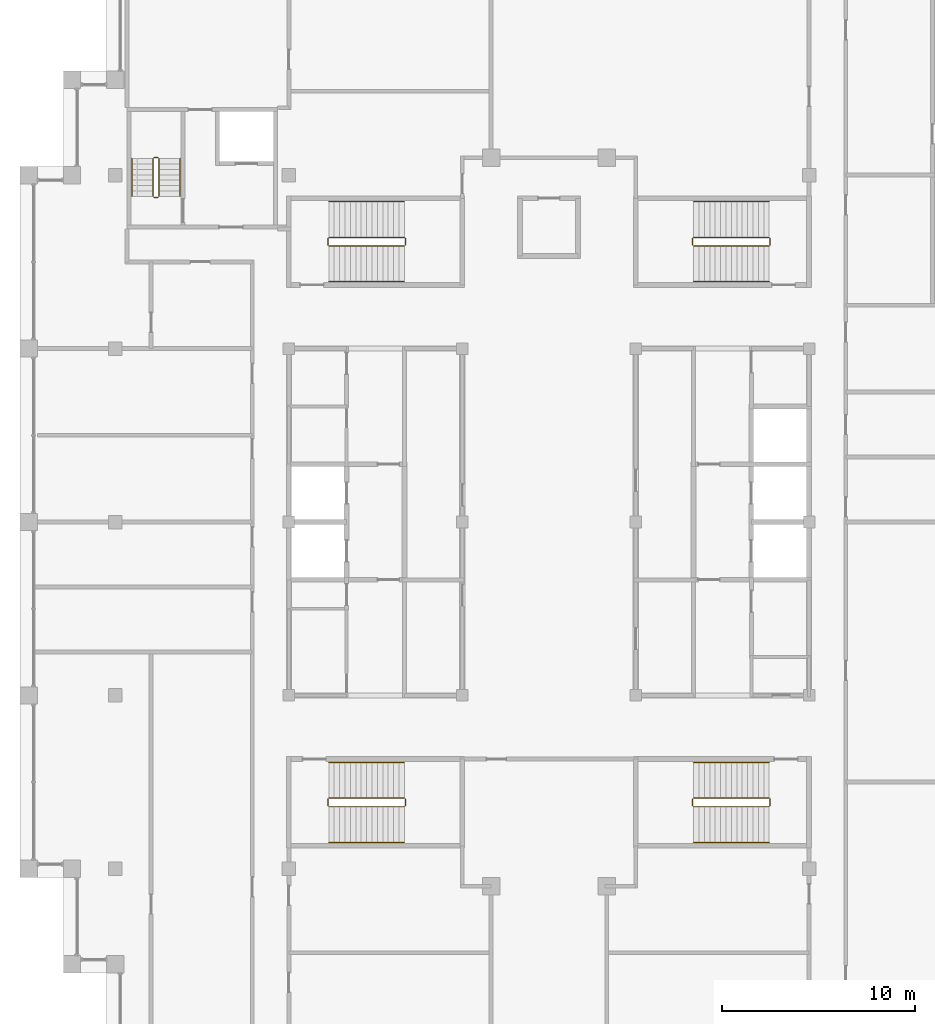
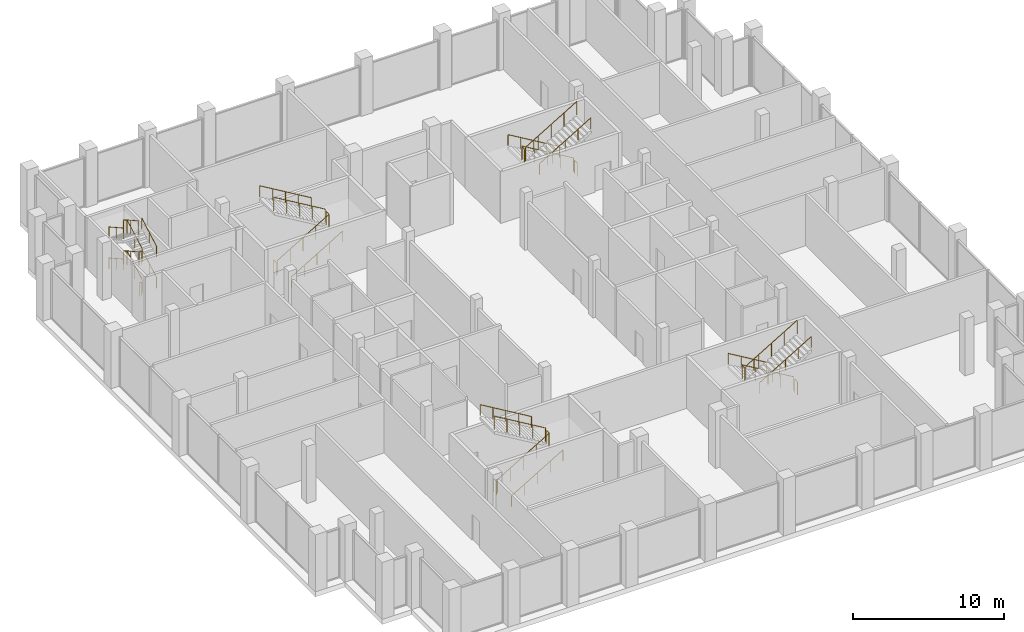
# One storey, part 12 of 12: 5 railings.
"""IFC4 building model written with IfcOpenShell, lengths in metres."""

from ifc_helpers import new_model, si_unit, direction, frame, origin, origin_2d, place, context, subcontext, project, spatial, circle, extrude, material, type_object, element, save


model = new_model("IFC4")

# Units and contexts
model_context = context("Model", 3, precision=1e-05, world=origin(), true_north=direction((0.0, 1.0)))
body_context = subcontext(model_context, "Body", "Model", "MODEL_VIEW")
ifc_project = project(units=[si_unit("LENGTHUNIT", "METRE"), si_unit("AREAUNIT", "SQUARE_METRE"), si_unit("VOLUMEUNIT", "CUBIC_METRE"), si_unit("PLANEANGLEUNIT", "RADIAN"), si_unit("MASSUNIT", "GRAM", prefix="KILO")], contexts=[model_context])

# Site, building, storey
site_placement = place(None, origin())
site = spatial("IfcSite", under=ifc_project, at=site_placement, CompositionType="ELEMENT")
building_placement = place(site_placement, origin())
building = spatial("IfcBuilding", under=site, at=building_placement, Name="Corbelhall Arena Tower", CompositionType="ELEMENT")
storey_placement = place(building_placement, frame((0.0, 0.0, 356.0)))
storey = spatial("IfcBuildingStorey", under=building, at=storey_placement, Name="L78", CompositionType="ELEMENT", Elevation=356.0)

# Railings
ifc_material = material(Name="Steel ASTM A500 Gr C", Category="steel")
railing_type = type_object("IfcRailingType", Name="IN-GD-1100", PredefinedType="GUARDRAIL", material=ifc_material)
railing_1_placement = place(storey_placement, frame((-11.425048828125, 14.324951171875, 0.166748046875)))
element("IfcRailing", 1, at=railing_1_placement, inside=storey, type_object=railing_type, Name="L78 ST1 stair guards and handrails", PredefinedType="GUARDRAIL", context=body_context, shape_type="SweptSolid", body=[
    extrude(circle(Radius=0.02392578125, at=origin_2d()), frame((0.0, 0.0, 1.076171875), z_axis=(0.859310244771, 0.0, 0.511454693235), x_axis=(0.0, 1.0, 0.0)), (0.0, 0.0, 1.0), 4.56201171875),
    extrude(circle(Radius=0.02392578125, at=origin_2d()), frame((3.969970703125, 0.050048828125, 3.4091796875), z_axis=(0.0, 1.0, 0.0), x_axis=(-1.0, 0.0, 0.0)), (0.0, 0.0, 1.0), 0.35009765625),
    extrude(circle(Radius=0.02392578125, at=origin_2d()), frame((3.920166015625, 0.449951171875, 3.576171875), z_axis=(-0.859310244771, 0.0, 0.511454693235), x_axis=(0.0, -1.0, 0.0)), (0.0, 0.0, 1.0), 4.56201171875),
    extrude(circle(Radius=0.02392578125, at=origin_2d()), frame((-0.050048828125, 0.050048828125, 0.9091796875), z_axis=(0.0, 1.0, 0.0), x_axis=(-1.0, 0.0, 0.0)), (0.0, 0.0, 1.0), 0.35009765625),
    extrude(circle(Radius=0.02392578125, at=origin_2d()), frame((0.0, -1.849853515625, 0.8759765625), z_axis=(0.859310244771, 0.0, 0.511454693235), x_axis=(0.0, 1.0, 0.0)), (0.0, 0.0, 1.0), 4.56201171875),
    extrude(circle(Radius=0.02392578125, at=origin_2d()), frame((3.920166015625, 2.300048828125, 3.3759765625), z_axis=(-0.859310244771, 0.0, 0.511454693235), x_axis=(0.0, -1.0, 0.0)), (0.0, 0.0, 1.0), 4.56201171875),
    extrude(circle(Radius=0.02099609375, at=origin_2d()), origin(), (0.0, 0.0, 1.0), 1.052001953125),
    extrude(circle(Radius=0.02099609375, at=origin_2d()), frame((0.97998046875, 0.0, 0.583251953125)), (0.0, 0.0, 1.0), 1.052001953125),
    extrude(circle(Radius=0.02099609375, at=origin_2d()), frame((1.9599609375, 0.0, 1.16650390625)), (0.0, 0.0, 1.0), 1.052001953125),
    extrude(circle(Radius=0.02099609375, at=origin_2d()), frame((2.940185546875, 0.0, 1.75)), (0.0, 0.0, 1.0), 1.052001953125),
    extrude(circle(Radius=0.02099609375, at=origin_2d()), frame((3.920166015625, 0.0, 2.333251953125)), (0.0, 0.0, 1.0), 1.052001953125),
    extrude(circle(Radius=0.02099609375, at=origin_2d()), frame((3.969970703125, 0.050048828125, 2.333251953125)), (0.0, 0.0, 1.0), 1.052001953125),
    extrude(circle(Radius=0.02099609375, at=origin_2d()), frame((3.969970703125, 0.400146484375, 2.333251953125)), (0.0, 0.0, 1.0), 1.052001953125),
    extrude(circle(Radius=0.02099609375, at=origin_2d()), frame((3.920166015625, 0.449951171875, 2.5)), (0.0, 0.0, 1.0), 1.052001953125),
    extrude(circle(Radius=0.02099609375, at=origin_2d()), frame((2.940185546875, 0.449951171875, 3.083251953125)), (0.0, 0.0, 1.0), 1.052001953125),
    extrude(circle(Radius=0.02099609375, at=origin_2d()), frame((1.9599609375, 0.449951171875, 3.66650390625)), (0.0, 0.0, 1.0), 1.052001953125),
    extrude(circle(Radius=0.02099609375, at=origin_2d()), frame((0.97998046875, 0.449951171875, 4.25)), (0.0, 0.0, 1.0), 1.052001953125),
    extrude(circle(Radius=0.02099609375, at=origin_2d()), frame((0.0, 0.449951171875, 4.833251953125)), (0.0, 0.0, 1.0), 1.052001953125),
    extrude(circle(Radius=0.02099609375, at=origin_2d()), frame((-0.050048828125, 0.050048828125, -0.166748046875)), (0.0, 0.0, 1.0), 1.052001953125),
    extrude(circle(Radius=0.02099609375, at=origin_2d()), frame((-0.050048828125, 0.400146484375, -0.166748046875)), (0.0, 0.0, 1.0), 1.052001953125),
    extrude(circle(Radius=0.02099609375, at=origin_2d()), frame((0.0, -1.849853515625, 0.0)), (0.0, 0.0, 1.0), 0.851806640625),
    extrude(circle(Radius=0.02099609375, at=origin_2d()), frame((0.97998046875, -1.849853515625, 0.583251953125)), (0.0, 0.0, 1.0), 0.851806640625),
    extrude(circle(Radius=0.02099609375, at=origin_2d()), frame((1.9599609375, -1.849853515625, 1.16650390625)), (0.0, 0.0, 1.0), 0.851806640625),
    extrude(circle(Radius=0.02099609375, at=origin_2d()), frame((2.940185546875, -1.849853515625, 1.75)), (0.0, 0.0, 1.0), 0.851806640625),
    extrude(circle(Radius=0.02099609375, at=origin_2d()), frame((3.920166015625, -1.849853515625, 2.333251953125)), (0.0, 0.0, 1.0), 0.851806640625),
    extrude(circle(Radius=0.02099609375, at=origin_2d()), frame((3.920166015625, 2.300048828125, 2.5)), (0.0, 0.0, 1.0), 0.851806640625),
    extrude(circle(Radius=0.02099609375, at=origin_2d()), frame((2.940185546875, 2.300048828125, 3.083251953125)), (0.0, 0.0, 1.0), 0.851806640625),
    extrude(circle(Radius=0.02099609375, at=origin_2d()), frame((1.9599609375, 2.300048828125, 3.66650390625)), (0.0, 0.0, 1.0), 0.851806640625),
    extrude(circle(Radius=0.02099609375, at=origin_2d()), frame((0.97998046875, 2.300048828125, 4.25)), (0.0, 0.0, 1.0), 0.851806640625),
    extrude(circle(Radius=0.02099609375, at=origin_2d()), frame((0.0, 2.300048828125, 4.833251953125)), (0.0, 0.0, 1.0), 0.851806640625),
])
railing_2_placement = place(storey_placement, frame((-11.425048828125, -14.77490234375, 0.166748046875)))
element("IfcRailing", 2, at=railing_2_placement, inside=storey, type_object=railing_type, Name="L78 ST2 stair guards and handrails", PredefinedType="GUARDRAIL", context=body_context, shape_type="SweptSolid", body=[
    extrude(circle(Radius=0.02392578125, at=origin_2d()), frame((0.0, 0.0, 1.076171875), z_axis=(0.859310244771, 0.0, 0.511454693235), x_axis=(0.0, 1.0, 0.0)), (0.0, 0.0, 1.0), 4.56201171875),
    extrude(circle(Radius=0.02392578125, at=origin_2d()), frame((3.969970703125, 0.0498046875, 3.4091796875), z_axis=(0.0, 1.0, 0.0), x_axis=(-1.0, 0.0, 0.0)), (0.0, 0.0, 1.0), 0.35009765625),
    extrude(circle(Radius=0.02392578125, at=origin_2d()), frame((3.920166015625, 0.449951171875, 3.576171875), z_axis=(-0.859310244771, 0.0, 0.511454693235), x_axis=(0.0, -1.0, 0.0)), (0.0, 0.0, 1.0), 4.56201171875),
    extrude(circle(Radius=0.02392578125, at=origin_2d()), frame((-0.050048828125, 0.0498046875, 0.9091796875), z_axis=(0.0, 1.0, 0.0), x_axis=(-1.0, 0.0, 0.0)), (0.0, 0.0, 1.0), 0.35009765625),
    extrude(circle(Radius=0.02392578125, at=origin_2d()), frame((0.0, -1.85009765625, 0.8759765625), z_axis=(0.859310244771, 0.0, 0.511454693235), x_axis=(0.0, 1.0, 0.0)), (0.0, 0.0, 1.0), 4.56201171875),
    extrude(circle(Radius=0.02392578125, at=origin_2d()), frame((3.920166015625, 2.2998046875, 3.3759765625), z_axis=(-0.859310244771, 0.0, 0.511454693235), x_axis=(0.0, -1.0, 0.0)), (0.0, 0.0, 1.0), 4.56201171875),
    extrude(circle(Radius=0.02099609375, at=origin_2d()), origin(), (0.0, 0.0, 1.0), 1.052001953125),
    extrude(circle(Radius=0.02099609375, at=origin_2d()), frame((0.97998046875, 0.0, 0.583251953125)), (0.0, 0.0, 1.0), 1.052001953125),
    extrude(circle(Radius=0.02099609375, at=origin_2d()), frame((1.9599609375, 0.0, 1.16650390625)), (0.0, 0.0, 1.0), 1.052001953125),
    extrude(circle(Radius=0.02099609375, at=origin_2d()), frame((2.940185546875, 0.0, 1.75)), (0.0, 0.0, 1.0), 1.052001953125),
    extrude(circle(Radius=0.02099609375, at=origin_2d()), frame((3.920166015625, 0.0, 2.333251953125)), (0.0, 0.0, 1.0), 1.052001953125),
    extrude(circle(Radius=0.02099609375, at=origin_2d()), frame((3.969970703125, 0.0498046875, 2.333251953125)), (0.0, 0.0, 1.0), 1.052001953125),
    extrude(circle(Radius=0.02099609375, at=origin_2d()), frame((3.969970703125, 0.39990234375, 2.333251953125)), (0.0, 0.0, 1.0), 1.052001953125),
    extrude(circle(Radius=0.02099609375, at=origin_2d()), frame((3.920166015625, 0.449951171875, 2.5)), (0.0, 0.0, 1.0), 1.052001953125),
    extrude(circle(Radius=0.02099609375, at=origin_2d()), frame((2.940185546875, 0.449951171875, 3.083251953125)), (0.0, 0.0, 1.0), 1.052001953125),
    extrude(circle(Radius=0.02099609375, at=origin_2d()), frame((1.9599609375, 0.449951171875, 3.66650390625)), (0.0, 0.0, 1.0), 1.052001953125),
    extrude(circle(Radius=0.02099609375, at=origin_2d()), frame((0.97998046875, 0.449951171875, 4.25)), (0.0, 0.0, 1.0), 1.052001953125),
    extrude(circle(Radius=0.02099609375, at=origin_2d()), frame((0.0, 0.449951171875, 4.833251953125)), (0.0, 0.0, 1.0), 1.052001953125),
    extrude(circle(Radius=0.02099609375, at=origin_2d()), frame((-0.050048828125, 0.0498046875, -0.166748046875)), (0.0, 0.0, 1.0), 1.052001953125),
    extrude(circle(Radius=0.02099609375, at=origin_2d()), frame((-0.050048828125, 0.39990234375, -0.166748046875)), (0.0, 0.0, 1.0), 1.052001953125),
    extrude(circle(Radius=0.02099609375, at=origin_2d()), frame((0.0, -1.85009765625, 0.0)), (0.0, 0.0, 1.0), 0.851806640625),
    extrude(circle(Radius=0.02099609375, at=origin_2d()), frame((0.97998046875, -1.85009765625, 0.583251953125)), (0.0, 0.0, 1.0), 0.851806640625),
    extrude(circle(Radius=0.02099609375, at=origin_2d()), frame((1.9599609375, -1.85009765625, 1.16650390625)), (0.0, 0.0, 1.0), 0.851806640625),
    extrude(circle(Radius=0.02099609375, at=origin_2d()), frame((2.940185546875, -1.85009765625, 1.75)), (0.0, 0.0, 1.0), 0.851806640625),
    extrude(circle(Radius=0.02099609375, at=origin_2d()), frame((3.920166015625, -1.85009765625, 2.333251953125)), (0.0, 0.0, 1.0), 0.851806640625),
    extrude(circle(Radius=0.02099609375, at=origin_2d()), frame((3.920166015625, 2.2998046875, 2.5)), (0.0, 0.0, 1.0), 0.851806640625),
    extrude(circle(Radius=0.02099609375, at=origin_2d()), frame((2.940185546875, 2.2998046875, 3.083251953125)), (0.0, 0.0, 1.0), 0.851806640625),
    extrude(circle(Radius=0.02099609375, at=origin_2d()), frame((1.9599609375, 2.2998046875, 3.66650390625)), (0.0, 0.0, 1.0), 0.851806640625),
    extrude(circle(Radius=0.02099609375, at=origin_2d()), frame((0.97998046875, 2.2998046875, 4.25)), (0.0, 0.0, 1.0), 0.851806640625),
    extrude(circle(Radius=0.02099609375, at=origin_2d()), frame((0.0, 2.2998046875, 4.833251953125)), (0.0, 0.0, 1.0), 0.851806640625),
])
railing_3_placement = place(storey_placement, frame((11.425048828125, 14.77490234375, 0.166748046875)))
element("IfcRailing", 3, at=railing_3_placement, inside=storey, type_object=railing_type, Name="L78 ST3 stair guards and handrails", PredefinedType="GUARDRAIL", context=body_context, shape_type="SweptSolid", body=[
    extrude(circle(Radius=0.02392578125, at=origin_2d()), frame((0.0, 0.0, 1.076171875), z_axis=(-0.859310244771, 0.0, 0.511454693235), x_axis=(0.0, -1.0, 0.0)), (0.0, 0.0, 1.0), 4.56201171875),
    extrude(circle(Radius=0.02392578125, at=origin_2d()), frame((-3.969970703125, -0.0498046875, 3.4091796875), z_axis=(0.0, -1.0, 0.0), x_axis=(1.0, 0.0, 0.0)), (0.0, 0.0, 1.0), 0.35009765625),
    extrude(circle(Radius=0.02392578125, at=origin_2d()), frame((-3.920166015625, -0.449951171875, 3.576171875), z_axis=(0.859310244771, 0.0, 0.511454693235), x_axis=(0.0, 1.0, 0.0)), (0.0, 0.0, 1.0), 4.56201171875),
    extrude(circle(Radius=0.02392578125, at=origin_2d()), frame((0.050048828125, -0.0498046875, 0.9091796875), z_axis=(0.0, -1.0, 0.0), x_axis=(1.0, 0.0, 0.0)), (0.0, 0.0, 1.0), 0.35009765625),
    extrude(circle(Radius=0.02392578125, at=origin_2d()), frame((0.0, 1.85009765625, 0.8759765625), z_axis=(-0.859310244771, 0.0, 0.511454693235), x_axis=(0.0, -1.0, 0.0)), (0.0, 0.0, 1.0), 4.56201171875),
    extrude(circle(Radius=0.02392578125, at=origin_2d()), frame((-3.920166015625, -2.2998046875, 3.3759765625), z_axis=(0.859310244771, 0.0, 0.511454693235), x_axis=(0.0, 1.0, 0.0)), (0.0, 0.0, 1.0), 4.56201171875),
    extrude(circle(Radius=0.02099609375, at=origin_2d()), origin(), (0.0, 0.0, 1.0), 1.052001953125),
    extrude(circle(Radius=0.02099609375, at=origin_2d()), frame((-0.97998046875, 0.0, 0.583251953125)), (0.0, 0.0, 1.0), 1.052001953125),
    extrude(circle(Radius=0.02099609375, at=origin_2d()), frame((-1.9599609375, 0.0, 1.16650390625)), (0.0, 0.0, 1.0), 1.052001953125),
    extrude(circle(Radius=0.02099609375, at=origin_2d()), frame((-2.940185546875, 0.0, 1.75)), (0.0, 0.0, 1.0), 1.052001953125),
    extrude(circle(Radius=0.02099609375, at=origin_2d()), frame((-3.920166015625, 0.0, 2.333251953125)), (0.0, 0.0, 1.0), 1.052001953125),
    extrude(circle(Radius=0.02099609375, at=origin_2d()), frame((-3.969970703125, -0.0498046875, 2.333251953125)), (0.0, 0.0, 1.0), 1.052001953125),
    extrude(circle(Radius=0.02099609375, at=origin_2d()), frame((-3.969970703125, -0.39990234375, 2.333251953125)), (0.0, 0.0, 1.0), 1.052001953125),
    extrude(circle(Radius=0.02099609375, at=origin_2d()), frame((-3.920166015625, -0.449951171875, 2.5)), (0.0, 0.0, 1.0), 1.052001953125),
    extrude(circle(Radius=0.02099609375, at=origin_2d()), frame((-2.940185546875, -0.449951171875, 3.083251953125)), (0.0, 0.0, 1.0), 1.052001953125),
    extrude(circle(Radius=0.02099609375, at=origin_2d()), frame((-1.9599609375, -0.449951171875, 3.66650390625)), (0.0, 0.0, 1.0), 1.052001953125),
    extrude(circle(Radius=0.02099609375, at=origin_2d()), frame((-0.97998046875, -0.449951171875, 4.25)), (0.0, 0.0, 1.0), 1.052001953125),
    extrude(circle(Radius=0.02099609375, at=origin_2d()), frame((0.0, -0.449951171875, 4.833251953125)), (0.0, 0.0, 1.0), 1.052001953125),
    extrude(circle(Radius=0.02099609375, at=origin_2d()), frame((0.050048828125, -0.0498046875, -0.166748046875)), (0.0, 0.0, 1.0), 1.052001953125),
    extrude(circle(Radius=0.02099609375, at=origin_2d()), frame((0.050048828125, -0.39990234375, -0.166748046875)), (0.0, 0.0, 1.0), 1.052001953125),
    extrude(circle(Radius=0.02099609375, at=origin_2d()), frame((0.0, 1.85009765625, 0.0)), (0.0, 0.0, 1.0), 0.851806640625),
    extrude(circle(Radius=0.02099609375, at=origin_2d()), frame((-0.97998046875, 1.85009765625, 0.583251953125)), (0.0, 0.0, 1.0), 0.851806640625),
    extrude(circle(Radius=0.02099609375, at=origin_2d()), frame((-1.9599609375, 1.85009765625, 1.16650390625)), (0.0, 0.0, 1.0), 0.851806640625),
    extrude(circle(Radius=0.02099609375, at=origin_2d()), frame((-2.940185546875, 1.85009765625, 1.75)), (0.0, 0.0, 1.0), 0.851806640625),
    extrude(circle(Radius=0.02099609375, at=origin_2d()), frame((-3.920166015625, 1.85009765625, 2.333251953125)), (0.0, 0.0, 1.0), 0.851806640625),
    extrude(circle(Radius=0.02099609375, at=origin_2d()), frame((-3.920166015625, -2.2998046875, 2.5)), (0.0, 0.0, 1.0), 0.851806640625),
    extrude(circle(Radius=0.02099609375, at=origin_2d()), frame((-2.940185546875, -2.2998046875, 3.083251953125)), (0.0, 0.0, 1.0), 0.851806640625),
    extrude(circle(Radius=0.02099609375, at=origin_2d()), frame((-1.9599609375, -2.2998046875, 3.66650390625)), (0.0, 0.0, 1.0), 0.851806640625),
    extrude(circle(Radius=0.02099609375, at=origin_2d()), frame((-0.97998046875, -2.2998046875, 4.25)), (0.0, 0.0, 1.0), 0.851806640625),
    extrude(circle(Radius=0.02099609375, at=origin_2d()), frame((0.0, -2.2998046875, 4.833251953125)), (0.0, 0.0, 1.0), 0.851806640625),
])
railing_4_placement = place(storey_placement, frame((11.425048828125, -14.324951171875, 0.166748046875)))
element("IfcRailing", 4, at=railing_4_placement, inside=storey, type_object=railing_type, Name="L78 ST4 stair guards and handrails", PredefinedType="GUARDRAIL", context=body_context, shape_type="SweptSolid", body=[
    extrude(circle(Radius=0.02392578125, at=origin_2d()), frame((0.0, 0.0, 1.076171875), z_axis=(-0.859310244771, 0.0, 0.511454693235), x_axis=(0.0, -1.0, 0.0)), (0.0, 0.0, 1.0), 4.56201171875),
    extrude(circle(Radius=0.02392578125, at=origin_2d()), frame((-3.969970703125, -0.050048828125, 3.4091796875), z_axis=(0.0, -1.0, 0.0), x_axis=(1.0, 0.0, 0.0)), (0.0, 0.0, 1.0), 0.35009765625),
    extrude(circle(Radius=0.02392578125, at=origin_2d()), frame((-3.920166015625, -0.449951171875, 3.576171875), z_axis=(0.859310244771, 0.0, 0.511454693235), x_axis=(0.0, 1.0, 0.0)), (0.0, 0.0, 1.0), 4.56201171875),
    extrude(circle(Radius=0.02392578125, at=origin_2d()), frame((0.050048828125, -0.050048828125, 0.9091796875), z_axis=(0.0, -1.0, 0.0), x_axis=(1.0, 0.0, 0.0)), (0.0, 0.0, 1.0), 0.35009765625),
    extrude(circle(Radius=0.02392578125, at=origin_2d()), frame((0.0, 1.849853515625, 0.8759765625), z_axis=(-0.859310244771, 0.0, 0.511454693235), x_axis=(0.0, -1.0, 0.0)), (0.0, 0.0, 1.0), 4.56201171875),
    extrude(circle(Radius=0.02392578125, at=origin_2d()), frame((-3.920166015625, -2.300048828125, 3.3759765625), z_axis=(0.859310244771, 0.0, 0.511454693235), x_axis=(0.0, 1.0, 0.0)), (0.0, 0.0, 1.0), 4.56201171875),
    extrude(circle(Radius=0.02099609375, at=origin_2d()), origin(), (0.0, 0.0, 1.0), 1.052001953125),
    extrude(circle(Radius=0.02099609375, at=origin_2d()), frame((-0.97998046875, 0.0, 0.583251953125)), (0.0, 0.0, 1.0), 1.052001953125),
    extrude(circle(Radius=0.02099609375, at=origin_2d()), frame((-1.9599609375, 0.0, 1.16650390625)), (0.0, 0.0, 1.0), 1.052001953125),
    extrude(circle(Radius=0.02099609375, at=origin_2d()), frame((-2.940185546875, 0.0, 1.75)), (0.0, 0.0, 1.0), 1.052001953125),
    extrude(circle(Radius=0.02099609375, at=origin_2d()), frame((-3.920166015625, 0.0, 2.333251953125)), (0.0, 0.0, 1.0), 1.052001953125),
    extrude(circle(Radius=0.02099609375, at=origin_2d()), frame((-3.969970703125, -0.050048828125, 2.333251953125)), (0.0, 0.0, 1.0), 1.052001953125),
    extrude(circle(Radius=0.02099609375, at=origin_2d()), frame((-3.969970703125, -0.400146484375, 2.333251953125)), (0.0, 0.0, 1.0), 1.052001953125),
    extrude(circle(Radius=0.02099609375, at=origin_2d()), frame((-3.920166015625, -0.449951171875, 2.5)), (0.0, 0.0, 1.0), 1.052001953125),
    extrude(circle(Radius=0.02099609375, at=origin_2d()), frame((-2.940185546875, -0.449951171875, 3.083251953125)), (0.0, 0.0, 1.0), 1.052001953125),
    extrude(circle(Radius=0.02099609375, at=origin_2d()), frame((-1.9599609375, -0.449951171875, 3.66650390625)), (0.0, 0.0, 1.0), 1.052001953125),
    extrude(circle(Radius=0.02099609375, at=origin_2d()), frame((-0.97998046875, -0.449951171875, 4.25)), (0.0, 0.0, 1.0), 1.052001953125),
    extrude(circle(Radius=0.02099609375, at=origin_2d()), frame((0.0, -0.449951171875, 4.833251953125)), (0.0, 0.0, 1.0), 1.052001953125),
    extrude(circle(Radius=0.02099609375, at=origin_2d()), frame((0.050048828125, -0.050048828125, -0.166748046875)), (0.0, 0.0, 1.0), 1.052001953125),
    extrude(circle(Radius=0.02099609375, at=origin_2d()), frame((0.050048828125, -0.400146484375, -0.166748046875)), (0.0, 0.0, 1.0), 1.052001953125),
    extrude(circle(Radius=0.02099609375, at=origin_2d()), frame((0.0, 1.849853515625, 0.0)), (0.0, 0.0, 1.0), 0.851806640625),
    extrude(circle(Radius=0.02099609375, at=origin_2d()), frame((-0.97998046875, 1.849853515625, 0.583251953125)), (0.0, 0.0, 1.0), 0.851806640625),
    extrude(circle(Radius=0.02099609375, at=origin_2d()), frame((-1.9599609375, 1.849853515625, 1.16650390625)), (0.0, 0.0, 1.0), 0.851806640625),
    extrude(circle(Radius=0.02099609375, at=origin_2d()), frame((-2.940185546875, 1.849853515625, 1.75)), (0.0, 0.0, 1.0), 0.851806640625),
    extrude(circle(Radius=0.02099609375, at=origin_2d()), frame((-3.920166015625, 1.849853515625, 2.333251953125)), (0.0, 0.0, 1.0), 0.851806640625),
    extrude(circle(Radius=0.02099609375, at=origin_2d()), frame((-3.920166015625, -2.300048828125, 2.5)), (0.0, 0.0, 1.0), 0.851806640625),
    extrude(circle(Radius=0.02099609375, at=origin_2d()), frame((-2.940185546875, -2.300048828125, 3.083251953125)), (0.0, 0.0, 1.0), 0.851806640625),
    extrude(circle(Radius=0.02099609375, at=origin_2d()), frame((-1.9599609375, -2.300048828125, 3.66650390625)), (0.0, 0.0, 1.0), 0.851806640625),
    extrude(circle(Radius=0.02099609375, at=origin_2d()), frame((-0.97998046875, -2.300048828125, 4.25)), (0.0, 0.0, 1.0), 0.851806640625),
    extrude(circle(Radius=0.02099609375, at=origin_2d()), frame((0.0, -2.300048828125, 4.833251953125)), (0.0, 0.0, 1.0), 0.851806640625),
])
railing_5_placement = place(storey_placement, frame((-20.2451171875, 16.89990234375, 0.15625)))
element("IfcRailing", 5, at=railing_5_placement, inside=storey, type_object=railing_type, Name="L78 ST5 stair guards and handrails", PredefinedType="GUARDRAIL", context=body_context, shape_type="SweptSolid", body=[
    extrude(circle(Radius=0.02392578125, at=origin_2d()), frame((0.0, 0.0, 1.076171875), z_axis=(0.0, 0.873257974695, 0.487258155017), x_axis=(-1.0, 0.0, 0.0)), (0.0, 0.0, 1.0), 2.24462890625),
    extrude(circle(Radius=0.02392578125, at=origin_2d()), frame((-0.0498046875, 2.010009765625, 2.169921875), z_axis=(-1.0, 0.0, 0.0), x_axis=(0.0, -1.0, 0.0)), (0.0, 0.0, 1.0), 0.2001953125),
    extrude(circle(Radius=0.02392578125, at=origin_2d()), frame((-0.2998046875, 1.960205078125, 2.326171875), z_axis=(0.0, -0.873257974695, 0.487258155017), x_axis=(1.0, 0.0, 0.0)), (0.0, 0.0, 1.0), 2.24462890625),
    extrude(circle(Radius=0.02392578125, at=origin_2d()), frame((-0.0498046875, -0.0498046875, 3.419921875), z_axis=(-1.0, 0.0, 0.0), x_axis=(0.0, -1.0, 0.0)), (0.0, 0.0, 1.0), 0.2001953125),
    extrude(circle(Radius=0.02392578125, at=origin_2d()), frame((0.0, 0.0, 3.576171875), z_axis=(0.0, 0.873257974695, 0.487258155017), x_axis=(-1.0, 0.0, 0.0)), (0.0, 0.0, 1.0), 2.24462890625),
    extrude(circle(Radius=0.02392578125, at=origin_2d()), frame((-0.0498046875, 2.010009765625, 4.669921875), z_axis=(-1.0, 0.0, 0.0), x_axis=(0.0, -1.0, 0.0)), (0.0, 0.0, 1.0), 0.2001953125),
    extrude(circle(Radius=0.02392578125, at=origin_2d()), frame((-0.2998046875, 1.960205078125, 4.826171875), z_axis=(0.0, -0.873257974695, 0.487258155017), x_axis=(1.0, 0.0, 0.0)), (0.0, 0.0, 1.0), 2.24462890625),
    extrude(circle(Radius=0.02392578125, at=origin_2d()), frame((-0.0498046875, -0.0498046875, 0.919921875), z_axis=(-1.0, 0.0, 0.0), x_axis=(0.0, -1.0, 0.0)), (0.0, 0.0, 1.0), 0.2001953125),
    extrude(circle(Radius=0.02392578125, at=origin_2d()), frame((1.10009765625, 0.0, 0.8759765625), z_axis=(0.0, 0.873257974695, 0.487258155017), x_axis=(-1.0, 0.0, 0.0)), (0.0, 0.0, 1.0), 2.24462890625),
    extrude(circle(Radius=0.02392578125, at=origin_2d()), frame((-1.39990234375, 1.960205078125, 2.1259765625), z_axis=(0.0, -0.873257974695, 0.487258155017), x_axis=(1.0, 0.0, 0.0)), (0.0, 0.0, 1.0), 2.24462890625),
    extrude(circle(Radius=0.02392578125, at=origin_2d()), frame((1.10009765625, 0.0, 3.3759765625), z_axis=(0.0, 0.873257974695, 0.487258155017), x_axis=(-1.0, 0.0, 0.0)), (0.0, 0.0, 1.0), 2.24462890625),
    extrude(circle(Radius=0.02392578125, at=origin_2d()), frame((-1.39990234375, 1.960205078125, 4.6259765625), z_axis=(0.0, -0.873257974695, 0.487258155017), x_axis=(1.0, 0.0, 0.0)), (0.0, 0.0, 1.0), 2.24462890625),
    extrude(circle(Radius=0.02099609375, at=origin_2d()), origin(), (0.0, 0.0, 1.0), 1.052001953125),
    extrude(circle(Radius=0.02099609375, at=origin_2d()), frame((0.0, 0.97998046875, 0.546875)), (0.0, 0.0, 1.0), 1.052001953125),
    extrude(circle(Radius=0.02099609375, at=origin_2d()), frame((0.0, 1.960205078125, 1.09375)), (0.0, 0.0, 1.0), 1.052001953125),
    extrude(circle(Radius=0.02099609375, at=origin_2d()), frame((-0.0498046875, 2.010009765625, 1.09375)), (0.0, 0.0, 1.0), 1.052001953125),
    extrude(circle(Radius=0.02099609375, at=origin_2d()), frame((-0.25, 2.010009765625, 1.09375)), (0.0, 0.0, 1.0), 1.052001953125),
    extrude(circle(Radius=0.02099609375, at=origin_2d()), frame((-0.2998046875, 1.960205078125, 1.25)), (0.0, 0.0, 1.0), 1.052001953125),
    extrude(circle(Radius=0.02099609375, at=origin_2d()), frame((-0.2998046875, 0.97998046875, 1.796875)), (0.0, 0.0, 1.0), 1.052001953125),
    extrude(circle(Radius=0.02099609375, at=origin_2d()), frame((-0.2998046875, 0.0, 2.34375)), (0.0, 0.0, 1.0), 1.052001953125),
    extrude(circle(Radius=0.02099609375, at=origin_2d()), frame((-0.0498046875, -0.0498046875, 2.34375)), (0.0, 0.0, 1.0), 1.052001953125),
    extrude(circle(Radius=0.02099609375, at=origin_2d()), frame((-0.25, -0.0498046875, 2.34375)), (0.0, 0.0, 1.0), 1.052001953125),
    extrude(circle(Radius=0.02099609375, at=origin_2d()), frame((0.0, 0.0, 2.5)), (0.0, 0.0, 1.0), 1.052001953125),
    extrude(circle(Radius=0.02099609375, at=origin_2d()), frame((0.0, 0.97998046875, 3.046875)), (0.0, 0.0, 1.0), 1.052001953125),
    extrude(circle(Radius=0.02099609375, at=origin_2d()), frame((0.0, 1.960205078125, 3.59375)), (0.0, 0.0, 1.0), 1.052001953125),
    extrude(circle(Radius=0.02099609375, at=origin_2d()), frame((-0.0498046875, 2.010009765625, 3.59375)), (0.0, 0.0, 1.0), 1.052001953125),
    extrude(circle(Radius=0.02099609375, at=origin_2d()), frame((-0.25, 2.010009765625, 3.59375)), (0.0, 0.0, 1.0), 1.052001953125),
    extrude(circle(Radius=0.02099609375, at=origin_2d()), frame((-0.2998046875, 1.960205078125, 3.75)), (0.0, 0.0, 1.0), 1.052001953125),
    extrude(circle(Radius=0.02099609375, at=origin_2d()), frame((-0.2998046875, 0.97998046875, 4.296875)), (0.0, 0.0, 1.0), 1.052001953125),
    extrude(circle(Radius=0.02099609375, at=origin_2d()), frame((-0.2998046875, 0.0, 4.84375)), (0.0, 0.0, 1.0), 1.052001953125),
    extrude(circle(Radius=0.02099609375, at=origin_2d()), frame((-0.0498046875, -0.0498046875, -0.15625)), (0.0, 0.0, 1.0), 1.052001953125),
    extrude(circle(Radius=0.02099609375, at=origin_2d()), frame((-0.25, -0.0498046875, -0.15625)), (0.0, 0.0, 1.0), 1.052001953125),
    extrude(circle(Radius=0.02099609375, at=origin_2d()), frame((1.10009765625, 0.0, 0.0)), (0.0, 0.0, 1.0), 0.851806640625),
    extrude(circle(Radius=0.02099609375, at=origin_2d()), frame((1.10009765625, 0.97998046875, 0.546875)), (0.0, 0.0, 1.0), 0.851806640625),
    extrude(circle(Radius=0.02099609375, at=origin_2d()), frame((1.10009765625, 1.960205078125, 1.09375)), (0.0, 0.0, 1.0), 0.851806640625),
    extrude(circle(Radius=0.02099609375, at=origin_2d()), frame((-1.39990234375, 1.960205078125, 1.25)), (0.0, 0.0, 1.0), 0.851806640625),
    extrude(circle(Radius=0.02099609375, at=origin_2d()), frame((-1.39990234375, 0.97998046875, 1.796875)), (0.0, 0.0, 1.0), 0.851806640625),
    extrude(circle(Radius=0.02099609375, at=origin_2d()), frame((-1.39990234375, 0.0, 2.34375)), (0.0, 0.0, 1.0), 0.851806640625),
    extrude(circle(Radius=0.02099609375, at=origin_2d()), frame((1.10009765625, 0.0, 2.5)), (0.0, 0.0, 1.0), 0.851806640625),
    extrude(circle(Radius=0.02099609375, at=origin_2d()), frame((1.10009765625, 0.97998046875, 3.046875)), (0.0, 0.0, 1.0), 0.851806640625),
    extrude(circle(Radius=0.02099609375, at=origin_2d()), frame((1.10009765625, 1.960205078125, 3.59375)), (0.0, 0.0, 1.0), 0.851806640625),
    extrude(circle(Radius=0.02099609375, at=origin_2d()), frame((-1.39990234375, 1.960205078125, 3.75)), (0.0, 0.0, 1.0), 0.851806640625),
    extrude(circle(Radius=0.02099609375, at=origin_2d()), frame((-1.39990234375, 0.97998046875, 4.296875)), (0.0, 0.0, 1.0), 0.851806640625),
    extrude(circle(Radius=0.02099609375, at=origin_2d()), frame((-1.39990234375, 0.0, 4.84375)), (0.0, 0.0, 1.0), 0.851806640625),
])

save(model, "model.ifc")
